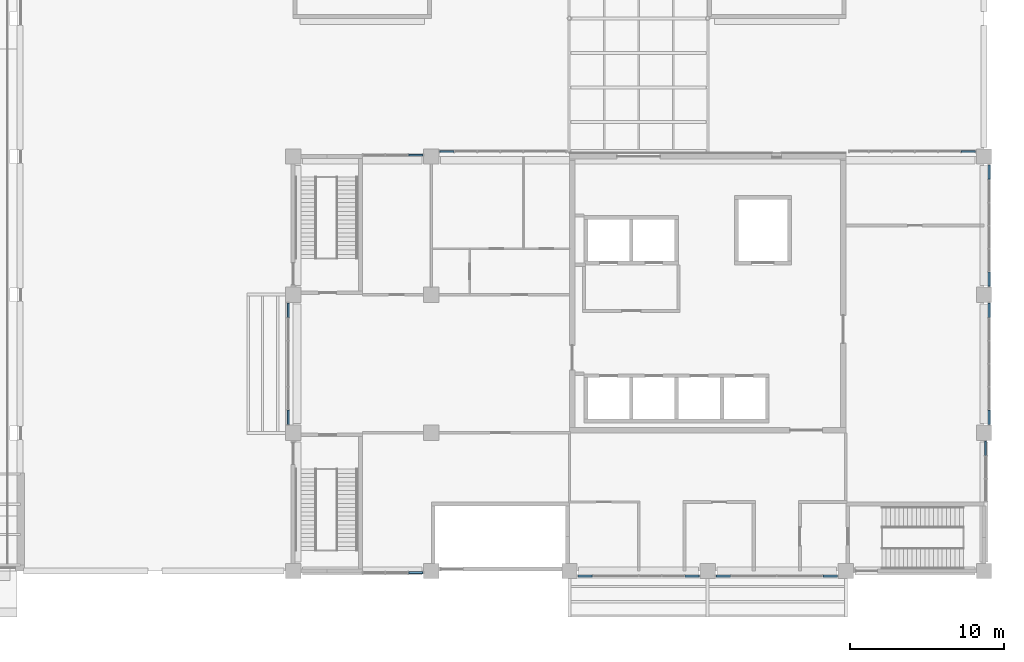
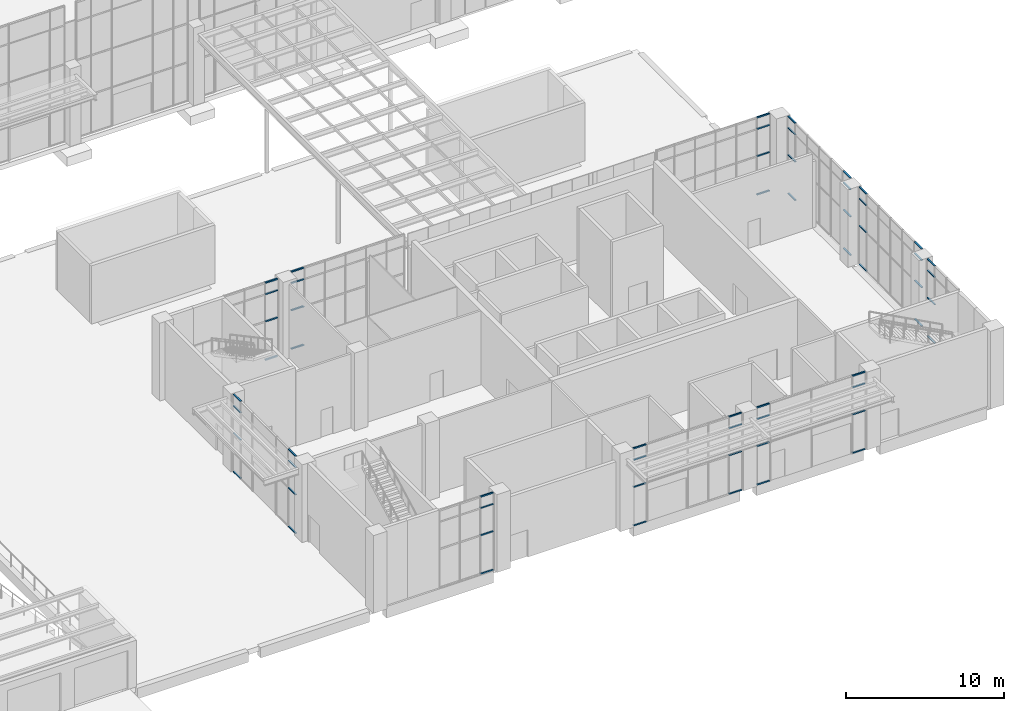
# One storey, part 36 of 86: 60 members, 10 elements without a shape of their own.
"""IFC4 building model written with IfcOpenShell, lengths in metres."""

from ifc_helpers import new_model, si_unit, direction, frame, origin, origin_2d, place, context, subcontext, project, spatial, rectangle, extrude, material, layer, layer_set, material_profile, profile_set, type_object, element, aggregate, save


model = new_model("IFC4")

# Units and contexts
model_context = context("Model", 3, precision=1e-05, world=origin(), true_north=direction((0.0, 1.0)))
body_context = subcontext(model_context, "Body", "Model", "MODEL_VIEW")
ifc_project = project(units=[si_unit("LENGTHUNIT", "METRE"), si_unit("AREAUNIT", "SQUARE_METRE"), si_unit("VOLUMEUNIT", "CUBIC_METRE"), si_unit("PLANEANGLEUNIT", "RADIAN"), si_unit("MASSUNIT", "GRAM", prefix="KILO")], contexts=[model_context])

# Site, building, storey
site_placement = place(None, origin())
site = spatial("IfcSite", under=ifc_project, at=site_placement, CompositionType="ELEMENT")
building_placement = place(site_placement, origin())
building = spatial("IfcBuilding", under=site, at=building_placement, Name="Guidao Yard Department Store", CompositionType="ELEMENT")
storey_placement = place(building_placement, origin())
storey = spatial("IfcBuildingStorey", under=building, at=storey_placement, Name="L00", CompositionType="ELEMENT", Elevation=0.0)

# Curtain wall, members
ifc_material_1 = material(Name="Aluminium and glass", Category="aluminium")
ifc_layer = layer(ifc_material_1, 0.159912109375)
ifc_layer_set = layer_set([ifc_layer], Name="Unitised curtain wall CW4 1500 module")
curtain_wall_type = type_object("IfcCurtainWallType", Name="Unitised curtain wall CW4 1500 module", PredefinedType="NOTDEFINED", material=ifc_layer_set)
curtain_wall_1_placement = place(storey_placement, origin())
curtain_wall_1 = element("IfcCurtainWall", 1, at=curtain_wall_1_placement, inside=storey, type_object=curtain_wall_type, Name="Unitised curtain wall", PredefinedType="NOTDEFINED")
ifc_material_2 = material(Name="Aluminium 6063-T5", Category="aluminium")
ifc_material_profile = material_profile(ifc_material_2, rectangle(XDim=0.1201171875, YDim=0.06005859375, at=origin_2d()), Name="Transom T1 60 x 120 aluminium pressure plate")
ifc_profile_set = profile_set([ifc_material_profile], Name="Aluminium 6063-T5")
member_type = type_object("IfcMemberType", Name="Transom T1 60 x 120 aluminium pressure plate", PredefinedType="USERDEFINED", material=ifc_profile_set)
member_1_placement = place(storey_placement, frame((134.43994140625, -0.10009765625, 0.030029296875), z_axis=(-1.0, 0.0, 0.0), x_axis=(0.0, -1.0, 0.0)))
member_1 = element("IfcMember", 2, at=member_1_placement, type_object=member_type, Name="CW-OW-L00-01 transom 3.1", ObjectType="TRANSOM", PredefinedType="USERDEFINED", context=body_context, shape_type="SweptSolid", body=[
    extrude(rectangle(XDim=0.1201171875, YDim=0.06005859375, at=origin_2d()), origin(), (0.0, 0.0, 1.0), 0.909912109375),
])
member_2_placement = place(storey_placement, frame((134.43994140625, -0.10009765625, 3.0), z_axis=(-1.0, 0.0, 0.0), x_axis=(0.0, -1.0, 0.0)))
member_2 = element("IfcMember", 3, at=member_2_placement, type_object=member_type, Name="CW-OW-L00-01 transom 3.2", ObjectType="TRANSOM", PredefinedType="USERDEFINED", context=body_context, shape_type="SweptSolid", body=[
    extrude(rectangle(XDim=0.1201171875, YDim=0.06005859375, at=origin_2d()), origin(), (0.0, 0.0, 1.0), 0.909912109375),
])
member_3_placement = place(storey_placement, frame((134.43994140625, -0.10009765625, 5.10009765625), z_axis=(-1.0, 0.0, 0.0), x_axis=(0.0, -1.0, 0.0)))
member_3 = element("IfcMember", 4, at=member_3_placement, type_object=member_type, Name="CW-OW-L00-01 transom 3.3", ObjectType="TRANSOM", PredefinedType="USERDEFINED", context=body_context, shape_type="SweptSolid", body=[
    extrude(rectangle(XDim=0.1201171875, YDim=0.06005859375, at=origin_2d()), origin(), (0.0, 0.0, 1.0), 0.909912109375),
])
member_4_placement = place(storey_placement, frame((134.43994140625, -0.10009765625, 5.969970703125), z_axis=(-1.0, 0.0, 0.0), x_axis=(0.0, -1.0, 0.0)))
member_4 = element("IfcMember", 5, at=member_4_placement, type_object=member_type, Name="CW-OW-L00-01 transom 3.4", ObjectType="TRANSOM", PredefinedType="USERDEFINED", context=body_context, shape_type="SweptSolid", body=[
    extrude(rectangle(XDim=0.1201171875, YDim=0.06005859375, at=origin_2d()), origin(), (0.0, 0.0, 1.0), 0.909912109375),
])
aggregate(curtain_wall_1, [member_1, member_2, member_3, member_4])

curtain_wall_2_placement = place(storey_placement, origin())
curtain_wall_2 = element("IfcCurtainWall", 6, at=curtain_wall_2_placement, inside=storey, type_object=curtain_wall_type, Name="Unitised curtain wall", PredefinedType="NOTDEFINED")
member_5_placement = place(storey_placement, frame((145.469970703125, -0.330078125, 0.030029296875), z_axis=(-1.0, 0.0, 0.0), x_axis=(0.0, -1.0, 0.0)))
member_5 = element("IfcMember", 7, at=member_5_placement, type_object=member_type, Name="CW-OW-L00-02 transom 1.1", ObjectType="TRANSOM", PredefinedType="USERDEFINED", context=body_context, shape_type="SweptSolid", body=[
    extrude(rectangle(XDim=0.1201171875, YDim=0.06005859375, at=origin_2d()), origin(), (0.0, 0.0, 1.0), 0.909912109375),
])
member_6_placement = place(storey_placement, frame((145.469970703125, -0.330078125, 3.0), z_axis=(-1.0, 0.0, 0.0), x_axis=(0.0, -1.0, 0.0)))
member_6 = element("IfcMember", 8, at=member_6_placement, type_object=member_type, Name="CW-OW-L00-02 transom 1.2", ObjectType="TRANSOM", PredefinedType="USERDEFINED", context=body_context, shape_type="SweptSolid", body=[
    extrude(rectangle(XDim=0.1201171875, YDim=0.06005859375, at=origin_2d()), origin(), (0.0, 0.0, 1.0), 0.909912109375),
])
member_7_placement = place(storey_placement, frame((145.469970703125, -0.330078125, 5.10009765625), z_axis=(-1.0, 0.0, 0.0), x_axis=(0.0, -1.0, 0.0)))
member_7 = element("IfcMember", 9, at=member_7_placement, type_object=member_type, Name="CW-OW-L00-02 transom 1.3", ObjectType="TRANSOM", PredefinedType="USERDEFINED", context=body_context, shape_type="SweptSolid", body=[
    extrude(rectangle(XDim=0.1201171875, YDim=0.06005859375, at=origin_2d()), origin(), (0.0, 0.0, 1.0), 0.909912109375),
])
member_8_placement = place(storey_placement, frame((145.469970703125, -0.330078125, 5.969970703125), z_axis=(-1.0, 0.0, 0.0), x_axis=(0.0, -1.0, 0.0)))
member_8 = element("IfcMember", 10, at=member_8_placement, type_object=member_type, Name="CW-OW-L00-02 transom 1.4", ObjectType="TRANSOM", PredefinedType="USERDEFINED", context=body_context, shape_type="SweptSolid", body=[
    extrude(rectangle(XDim=0.1201171875, YDim=0.06005859375, at=origin_2d()), origin(), (0.0, 0.0, 1.0), 0.909912109375),
])
member_9_placement = place(storey_placement, frame((152.43994140625, -0.330078125, 0.030029296875), z_axis=(-1.0, 0.0, 0.0), x_axis=(0.0, -1.0, 0.0)))
member_9 = element("IfcMember", 11, at=member_9_placement, type_object=member_type, Name="CW-OW-L00-02 transom 5.1", ObjectType="TRANSOM", PredefinedType="USERDEFINED", context=body_context, shape_type="SweptSolid", body=[
    extrude(rectangle(XDim=0.1201171875, YDim=0.06005859375, at=origin_2d()), origin(), (0.0, 0.0, 1.0), 0.909912109375),
])
member_10_placement = place(storey_placement, frame((152.43994140625, -0.330078125, 3.0), z_axis=(-1.0, 0.0, 0.0), x_axis=(0.0, -1.0, 0.0)))
member_10 = element("IfcMember", 12, at=member_10_placement, type_object=member_type, Name="CW-OW-L00-02 transom 5.2", ObjectType="TRANSOM", PredefinedType="USERDEFINED", context=body_context, shape_type="SweptSolid", body=[
    extrude(rectangle(XDim=0.1201171875, YDim=0.06005859375, at=origin_2d()), origin(), (0.0, 0.0, 1.0), 0.909912109375),
])
member_11_placement = place(storey_placement, frame((152.43994140625, -0.330078125, 5.10009765625), z_axis=(-1.0, 0.0, 0.0), x_axis=(0.0, -1.0, 0.0)))
member_11 = element("IfcMember", 13, at=member_11_placement, type_object=member_type, Name="CW-OW-L00-02 transom 5.3", ObjectType="TRANSOM", PredefinedType="USERDEFINED", context=body_context, shape_type="SweptSolid", body=[
    extrude(rectangle(XDim=0.1201171875, YDim=0.06005859375, at=origin_2d()), origin(), (0.0, 0.0, 1.0), 0.909912109375),
])
member_12_placement = place(storey_placement, frame((152.43994140625, -0.330078125, 5.969970703125), z_axis=(-1.0, 0.0, 0.0), x_axis=(0.0, -1.0, 0.0)))
member_12 = element("IfcMember", 14, at=member_12_placement, type_object=member_type, Name="CW-OW-L00-02 transom 5.4", ObjectType="TRANSOM", PredefinedType="USERDEFINED", context=body_context, shape_type="SweptSolid", body=[
    extrude(rectangle(XDim=0.1201171875, YDim=0.06005859375, at=origin_2d()), origin(), (0.0, 0.0, 1.0), 0.909912109375),
])
aggregate(curtain_wall_2, [member_5, member_6, member_7, member_8, member_9, member_10, member_11, member_12])

curtain_wall_3_placement = place(storey_placement, origin())
curtain_wall_3 = element("IfcCurtainWall", 15, at=curtain_wall_3_placement, inside=storey, type_object=curtain_wall_type, Name="Unitised curtain wall", PredefinedType="NOTDEFINED")
member_13_placement = place(storey_placement, frame((154.469970703125, -0.330078125, 0.030029296875), z_axis=(-1.0, 0.0, 0.0), x_axis=(0.0, -1.0, 0.0)))
member_13 = element("IfcMember", 16, at=member_13_placement, type_object=member_type, Name="CW-OW-L00-03 transom 1.1", ObjectType="TRANSOM", PredefinedType="USERDEFINED", context=body_context, shape_type="SweptSolid", body=[
    extrude(rectangle(XDim=0.1201171875, YDim=0.06005859375, at=origin_2d()), origin(), (0.0, 0.0, 1.0), 0.909912109375),
])
member_14_placement = place(storey_placement, frame((154.469970703125, -0.330078125, 3.0), z_axis=(-1.0, 0.0, 0.0), x_axis=(0.0, -1.0, 0.0)))
member_14 = element("IfcMember", 17, at=member_14_placement, type_object=member_type, Name="CW-OW-L00-03 transom 1.2", ObjectType="TRANSOM", PredefinedType="USERDEFINED", context=body_context, shape_type="SweptSolid", body=[
    extrude(rectangle(XDim=0.1201171875, YDim=0.06005859375, at=origin_2d()), origin(), (0.0, 0.0, 1.0), 0.909912109375),
])
member_15_placement = place(storey_placement, frame((154.469970703125, -0.330078125, 5.10009765625), z_axis=(-1.0, 0.0, 0.0), x_axis=(0.0, -1.0, 0.0)))
member_15 = element("IfcMember", 18, at=member_15_placement, type_object=member_type, Name="CW-OW-L00-03 transom 1.3", ObjectType="TRANSOM", PredefinedType="USERDEFINED", context=body_context, shape_type="SweptSolid", body=[
    extrude(rectangle(XDim=0.1201171875, YDim=0.06005859375, at=origin_2d()), origin(), (0.0, 0.0, 1.0), 0.909912109375),
])
member_16_placement = place(storey_placement, frame((154.469970703125, -0.330078125, 5.969970703125), z_axis=(-1.0, 0.0, 0.0), x_axis=(0.0, -1.0, 0.0)))
member_16 = element("IfcMember", 19, at=member_16_placement, type_object=member_type, Name="CW-OW-L00-03 transom 1.4", ObjectType="TRANSOM", PredefinedType="USERDEFINED", context=body_context, shape_type="SweptSolid", body=[
    extrude(rectangle(XDim=0.1201171875, YDim=0.06005859375, at=origin_2d()), origin(), (0.0, 0.0, 1.0), 0.909912109375),
])
member_17_placement = place(storey_placement, frame((161.43994140625, -0.330078125, 0.030029296875), z_axis=(-1.0, 0.0, 0.0), x_axis=(0.0, -1.0, 0.0)))
member_17 = element("IfcMember", 20, at=member_17_placement, type_object=member_type, Name="CW-OW-L00-03 transom 4.1", ObjectType="TRANSOM", PredefinedType="USERDEFINED", context=body_context, shape_type="SweptSolid", body=[
    extrude(rectangle(XDim=0.1201171875, YDim=0.06005859375, at=origin_2d()), origin(), (0.0, 0.0, 1.0), 0.909912109375),
])
member_18_placement = place(storey_placement, frame((161.43994140625, -0.330078125, 3.0), z_axis=(-1.0, 0.0, 0.0), x_axis=(0.0, -1.0, 0.0)))
member_18 = element("IfcMember", 21, at=member_18_placement, type_object=member_type, Name="CW-OW-L00-03 transom 4.2", ObjectType="TRANSOM", PredefinedType="USERDEFINED", context=body_context, shape_type="SweptSolid", body=[
    extrude(rectangle(XDim=0.1201171875, YDim=0.06005859375, at=origin_2d()), origin(), (0.0, 0.0, 1.0), 0.909912109375),
])
member_19_placement = place(storey_placement, frame((161.43994140625, -0.330078125, 5.10009765625), z_axis=(-1.0, 0.0, 0.0), x_axis=(0.0, -1.0, 0.0)))
member_19 = element("IfcMember", 22, at=member_19_placement, type_object=member_type, Name="CW-OW-L00-03 transom 4.3", ObjectType="TRANSOM", PredefinedType="USERDEFINED", context=body_context, shape_type="SweptSolid", body=[
    extrude(rectangle(XDim=0.1201171875, YDim=0.06005859375, at=origin_2d()), origin(), (0.0, 0.0, 1.0), 0.909912109375),
])
member_20_placement = place(storey_placement, frame((161.43994140625, -0.330078125, 5.969970703125), z_axis=(-1.0, 0.0, 0.0), x_axis=(0.0, -1.0, 0.0)))
member_20 = element("IfcMember", 23, at=member_20_placement, type_object=member_type, Name="CW-OW-L00-03 transom 4.4", ObjectType="TRANSOM", PredefinedType="USERDEFINED", context=body_context, shape_type="SweptSolid", body=[
    extrude(rectangle(XDim=0.1201171875, YDim=0.06005859375, at=origin_2d()), origin(), (0.0, 0.0, 1.0), 0.909912109375),
])
aggregate(curtain_wall_3, [member_13, member_14, member_15, member_16, member_17, member_18, member_19, member_20])

curtain_wall_4_placement = place(storey_placement, origin())
curtain_wall_4 = element("IfcCurtainWall", 24, at=curtain_wall_4_placement, inside=storey, type_object=curtain_wall_type, Name="Unitised curtain wall", PredefinedType="NOTDEFINED")
member_21_placement = place(storey_placement, frame((125.669921875, 9.56005859375, 0.030029296875), z_axis=(0.0, 1.0, 0.0), x_axis=(-1.0, 0.0, 0.0)))
member_21 = element("IfcMember", 25, at=member_21_placement, type_object=member_type, Name="CW-OW-L00-04 transom 1.1", ObjectType="TRANSOM", PredefinedType="USERDEFINED", context=body_context, shape_type="SweptSolid", body=[
    extrude(rectangle(XDim=0.1201171875, YDim=0.06005859375, at=origin_2d()), origin(), (0.0, 0.0, 1.0), 0.909912109375),
])
member_22_placement = place(storey_placement, frame((125.669921875, 9.56005859375, 3.0), z_axis=(0.0, 1.0, 0.0), x_axis=(-1.0, 0.0, 0.0)))
member_22 = element("IfcMember", 26, at=member_22_placement, type_object=member_type, Name="CW-OW-L00-04 transom 1.2", ObjectType="TRANSOM", PredefinedType="USERDEFINED", context=body_context, shape_type="SweptSolid", body=[
    extrude(rectangle(XDim=0.1201171875, YDim=0.06005859375, at=origin_2d()), origin(), (0.0, 0.0, 1.0), 0.909912109375),
])
member_23_placement = place(storey_placement, frame((125.669921875, 9.56005859375, 5.10009765625), z_axis=(0.0, 1.0, 0.0), x_axis=(-1.0, 0.0, 0.0)))
member_23 = element("IfcMember", 27, at=member_23_placement, type_object=member_type, Name="CW-OW-L00-04 transom 1.3", ObjectType="TRANSOM", PredefinedType="USERDEFINED", context=body_context, shape_type="SweptSolid", body=[
    extrude(rectangle(XDim=0.1201171875, YDim=0.06005859375, at=origin_2d()), origin(), (0.0, 0.0, 1.0), 0.909912109375),
])
member_24_placement = place(storey_placement, frame((125.669921875, 9.56005859375, 5.969970703125), z_axis=(0.0, 1.0, 0.0), x_axis=(-1.0, 0.0, 0.0)))
member_24 = element("IfcMember", 28, at=member_24_placement, type_object=member_type, Name="CW-OW-L00-04 transom 1.4", ObjectType="TRANSOM", PredefinedType="USERDEFINED", context=body_context, shape_type="SweptSolid", body=[
    extrude(rectangle(XDim=0.1201171875, YDim=0.06005859375, at=origin_2d()), origin(), (0.0, 0.0, 1.0), 0.909912109375),
])
member_25_placement = place(storey_placement, frame((125.669921875, 16.530029296875, 0.030029296875), z_axis=(0.0, 1.0, 0.0), x_axis=(-1.0, 0.0, 0.0)))
member_25 = element("IfcMember", 29, at=member_25_placement, type_object=member_type, Name="CW-OW-L00-04 transom 5.1", ObjectType="TRANSOM", PredefinedType="USERDEFINED", context=body_context, shape_type="SweptSolid", body=[
    extrude(rectangle(XDim=0.1201171875, YDim=0.06005859375, at=origin_2d()), origin(), (0.0, 0.0, 1.0), 0.909912109375),
])
member_26_placement = place(storey_placement, frame((125.669921875, 16.530029296875, 3.0), z_axis=(0.0, 1.0, 0.0), x_axis=(-1.0, 0.0, 0.0)))
member_26 = element("IfcMember", 30, at=member_26_placement, type_object=member_type, Name="CW-OW-L00-04 transom 5.2", ObjectType="TRANSOM", PredefinedType="USERDEFINED", context=body_context, shape_type="SweptSolid", body=[
    extrude(rectangle(XDim=0.1201171875, YDim=0.06005859375, at=origin_2d()), origin(), (0.0, 0.0, 1.0), 0.909912109375),
])
member_27_placement = place(storey_placement, frame((125.669921875, 16.530029296875, 5.10009765625), z_axis=(0.0, 1.0, 0.0), x_axis=(-1.0, 0.0, 0.0)))
member_27 = element("IfcMember", 31, at=member_27_placement, type_object=member_type, Name="CW-OW-L00-04 transom 5.3", ObjectType="TRANSOM", PredefinedType="USERDEFINED", context=body_context, shape_type="SweptSolid", body=[
    extrude(rectangle(XDim=0.1201171875, YDim=0.06005859375, at=origin_2d()), origin(), (0.0, 0.0, 1.0), 0.909912109375),
])
member_28_placement = place(storey_placement, frame((125.669921875, 16.530029296875, 5.969970703125), z_axis=(0.0, 1.0, 0.0), x_axis=(-1.0, 0.0, 0.0)))
member_28 = element("IfcMember", 32, at=member_28_placement, type_object=member_type, Name="CW-OW-L00-04 transom 5.4", ObjectType="TRANSOM", PredefinedType="USERDEFINED", context=body_context, shape_type="SweptSolid", body=[
    extrude(rectangle(XDim=0.1201171875, YDim=0.06005859375, at=origin_2d()), origin(), (0.0, 0.0, 1.0), 0.909912109375),
])
aggregate(curtain_wall_4, [member_21, member_22, member_23, member_24, member_25, member_26, member_27, member_28])

curtain_wall_5_placement = place(storey_placement, origin())
curtain_wall_5 = element("IfcCurtainWall", 33, at=curtain_wall_5_placement, inside=storey, type_object=curtain_wall_type, Name="Unitised curtain wall", PredefinedType="NOTDEFINED")
member_29_placement = place(storey_placement, frame((133.530029296875, 27.10009765625, 0.030029296875), z_axis=(1.0, 0.0, 0.0), x_axis=(0.0, 1.0, 0.0)))
member_29 = element("IfcMember", 34, at=member_29_placement, type_object=member_type, Name="CW-OW-L00-05 transom 3.1", ObjectType="TRANSOM", PredefinedType="USERDEFINED", context=body_context, shape_type="SweptSolid", body=[
    extrude(rectangle(XDim=0.1201171875, YDim=0.06005859375, at=origin_2d()), origin(), (0.0, 0.0, 1.0), 0.909912109375),
])
member_30_placement = place(storey_placement, frame((133.530029296875, 27.10009765625, 3.0), z_axis=(1.0, 0.0, 0.0), x_axis=(0.0, 1.0, 0.0)))
member_30 = element("IfcMember", 35, at=member_30_placement, type_object=member_type, Name="CW-OW-L00-05 transom 3.2", ObjectType="TRANSOM", PredefinedType="USERDEFINED", context=body_context, shape_type="SweptSolid", body=[
    extrude(rectangle(XDim=0.1201171875, YDim=0.06005859375, at=origin_2d()), origin(), (0.0, 0.0, 1.0), 0.909912109375),
])
member_31_placement = place(storey_placement, frame((133.530029296875, 27.10009765625, 5.10009765625), z_axis=(1.0, 0.0, 0.0), x_axis=(0.0, 1.0, 0.0)))
member_31 = element("IfcMember", 36, at=member_31_placement, type_object=member_type, Name="CW-OW-L00-05 transom 3.3", ObjectType="TRANSOM", PredefinedType="USERDEFINED", context=body_context, shape_type="SweptSolid", body=[
    extrude(rectangle(XDim=0.1201171875, YDim=0.06005859375, at=origin_2d()), origin(), (0.0, 0.0, 1.0), 0.909912109375),
])
member_32_placement = place(storey_placement, frame((133.530029296875, 27.10009765625, 5.969970703125), z_axis=(1.0, 0.0, 0.0), x_axis=(0.0, 1.0, 0.0)))
member_32 = element("IfcMember", 37, at=member_32_placement, type_object=member_type, Name="CW-OW-L00-05 transom 3.4", ObjectType="TRANSOM", PredefinedType="USERDEFINED", context=body_context, shape_type="SweptSolid", body=[
    extrude(rectangle(XDim=0.1201171875, YDim=0.06005859375, at=origin_2d()), origin(), (0.0, 0.0, 1.0), 0.909912109375),
])
aggregate(curtain_wall_5, [member_29, member_30, member_31, member_32])

curtain_wall_6_placement = place(storey_placement, origin())
curtain_wall_6 = element("IfcCurtainWall", 38, at=curtain_wall_6_placement, inside=storey, type_object=curtain_wall_type, Name="Unitised curtain wall", PredefinedType="NOTDEFINED")
member_33_placement = place(storey_placement, frame((135.56005859375, 27.330078125, 0.030029296875), z_axis=(1.0, 0.0, 0.0), x_axis=(0.0, 1.0, 0.0)))
member_33 = element("IfcMember", 39, at=member_33_placement, type_object=member_type, Name="CW-OW-L00-06 transom 1.1", ObjectType="TRANSOM", PredefinedType="USERDEFINED", context=body_context, shape_type="SweptSolid", body=[
    extrude(rectangle(XDim=0.1201171875, YDim=0.06005859375, at=origin_2d()), origin(), (0.0, 0.0, 1.0), 0.909912109375),
])
member_34_placement = place(storey_placement, frame((135.56005859375, 27.330078125, 3.0), z_axis=(1.0, 0.0, 0.0), x_axis=(0.0, 1.0, 0.0)))
member_34 = element("IfcMember", 40, at=member_34_placement, type_object=member_type, Name="CW-OW-L00-06 transom 1.2", ObjectType="TRANSOM", PredefinedType="USERDEFINED", context=body_context, shape_type="SweptSolid", body=[
    extrude(rectangle(XDim=0.1201171875, YDim=0.06005859375, at=origin_2d()), origin(), (0.0, 0.0, 1.0), 0.909912109375),
])
member_35_placement = place(storey_placement, frame((135.56005859375, 27.330078125, 5.10009765625), z_axis=(1.0, 0.0, 0.0), x_axis=(0.0, 1.0, 0.0)))
member_35 = element("IfcMember", 41, at=member_35_placement, type_object=member_type, Name="CW-OW-L00-06 transom 1.3", ObjectType="TRANSOM", PredefinedType="USERDEFINED", context=body_context, shape_type="SweptSolid", body=[
    extrude(rectangle(XDim=0.1201171875, YDim=0.06005859375, at=origin_2d()), origin(), (0.0, 0.0, 1.0), 0.909912109375),
])
member_36_placement = place(storey_placement, frame((135.56005859375, 27.330078125, 5.969970703125), z_axis=(1.0, 0.0, 0.0), x_axis=(0.0, 1.0, 0.0)))
member_36 = element("IfcMember", 42, at=member_36_placement, type_object=member_type, Name="CW-OW-L00-06 transom 1.4", ObjectType="TRANSOM", PredefinedType="USERDEFINED", context=body_context, shape_type="SweptSolid", body=[
    extrude(rectangle(XDim=0.1201171875, YDim=0.06005859375, at=origin_2d()), origin(), (0.0, 0.0, 1.0), 0.909912109375),
])
aggregate(curtain_wall_6, [member_33, member_34, member_35, member_36])

curtain_wall_7_placement = place(storey_placement, origin())
curtain_wall_7 = element("IfcCurtainWall", 43, at=curtain_wall_7_placement, inside=storey, type_object=curtain_wall_type, Name="Unitised curtain wall", PredefinedType="NOTDEFINED")
member_37_placement = place(storey_placement, frame((169.530029296875, 27.330078125, 0.030029296875), z_axis=(1.0, 0.0, 0.0), x_axis=(0.0, 1.0, 0.0)))
member_37 = element("IfcMember", 44, at=member_37_placement, type_object=member_type, Name="CW-OW-L00-07 transom 6.1", ObjectType="TRANSOM", PredefinedType="USERDEFINED", context=body_context, shape_type="SweptSolid", body=[
    extrude(rectangle(XDim=0.1201171875, YDim=0.06005859375, at=origin_2d()), origin(), (0.0, 0.0, 1.0), 0.909912109375),
])
member_38_placement = place(storey_placement, frame((169.530029296875, 27.330078125, 3.0), z_axis=(1.0, 0.0, 0.0), x_axis=(0.0, 1.0, 0.0)))
member_38 = element("IfcMember", 45, at=member_38_placement, type_object=member_type, Name="CW-OW-L00-07 transom 6.2", ObjectType="TRANSOM", PredefinedType="USERDEFINED", context=body_context, shape_type="SweptSolid", body=[
    extrude(rectangle(XDim=0.1201171875, YDim=0.06005859375, at=origin_2d()), origin(), (0.0, 0.0, 1.0), 0.909912109375),
])
member_39_placement = place(storey_placement, frame((169.530029296875, 27.330078125, 5.10009765625), z_axis=(1.0, 0.0, 0.0), x_axis=(0.0, 1.0, 0.0)))
member_39 = element("IfcMember", 46, at=member_39_placement, type_object=member_type, Name="CW-OW-L00-07 transom 6.3", ObjectType="TRANSOM", PredefinedType="USERDEFINED", context=body_context, shape_type="SweptSolid", body=[
    extrude(rectangle(XDim=0.1201171875, YDim=0.06005859375, at=origin_2d()), origin(), (0.0, 0.0, 1.0), 0.909912109375),
])
member_40_placement = place(storey_placement, frame((169.530029296875, 27.330078125, 5.969970703125), z_axis=(1.0, 0.0, 0.0), x_axis=(0.0, 1.0, 0.0)))
member_40 = element("IfcMember", 47, at=member_40_placement, type_object=member_type, Name="CW-OW-L00-07 transom 6.4", ObjectType="TRANSOM", PredefinedType="USERDEFINED", context=body_context, shape_type="SweptSolid", body=[
    extrude(rectangle(XDim=0.1201171875, YDim=0.06005859375, at=origin_2d()), origin(), (0.0, 0.0, 1.0), 0.909912109375),
])
aggregate(curtain_wall_7, [member_37, member_38, member_39, member_40])

curtain_wall_8_placement = place(storey_placement, origin())
curtain_wall_8 = element("IfcCurtainWall", 48, at=curtain_wall_8_placement, inside=storey, type_object=curtain_wall_type, Name="Unitised curtain wall", PredefinedType="NOTDEFINED")
member_41_placement = place(storey_placement, frame((171.10009765625, 8.43994140625, 0.030029296875), z_axis=(0.0, -1.0, 0.0), x_axis=(1.0, 0.0, 0.0)))
member_41 = element("IfcMember", 49, at=member_41_placement, type_object=member_type, Name="CW-OW-L00-08 transom 3.1", ObjectType="TRANSOM", PredefinedType="USERDEFINED", context=body_context, shape_type="SweptSolid", body=[
    extrude(rectangle(XDim=0.1201171875, YDim=0.06005859375, at=origin_2d()), origin(), (0.0, 0.0, 1.0), 0.909912109375),
])
member_42_placement = place(storey_placement, frame((171.10009765625, 8.43994140625, 3.0), z_axis=(0.0, -1.0, 0.0), x_axis=(1.0, 0.0, 0.0)))
member_42 = element("IfcMember", 50, at=member_42_placement, type_object=member_type, Name="CW-OW-L00-08 transom 3.2", ObjectType="TRANSOM", PredefinedType="USERDEFINED", context=body_context, shape_type="SweptSolid", body=[
    extrude(rectangle(XDim=0.1201171875, YDim=0.06005859375, at=origin_2d()), origin(), (0.0, 0.0, 1.0), 0.909912109375),
])
member_43_placement = place(storey_placement, frame((171.10009765625, 8.43994140625, 5.10009765625), z_axis=(0.0, -1.0, 0.0), x_axis=(1.0, 0.0, 0.0)))
member_43 = element("IfcMember", 51, at=member_43_placement, type_object=member_type, Name="CW-OW-L00-08 transom 3.3", ObjectType="TRANSOM", PredefinedType="USERDEFINED", context=body_context, shape_type="SweptSolid", body=[
    extrude(rectangle(XDim=0.1201171875, YDim=0.06005859375, at=origin_2d()), origin(), (0.0, 0.0, 1.0), 0.909912109375),
])
member_44_placement = place(storey_placement, frame((171.10009765625, 8.43994140625, 5.969970703125), z_axis=(0.0, -1.0, 0.0), x_axis=(1.0, 0.0, 0.0)))
member_44 = element("IfcMember", 52, at=member_44_placement, type_object=member_type, Name="CW-OW-L00-08 transom 3.4", ObjectType="TRANSOM", PredefinedType="USERDEFINED", context=body_context, shape_type="SweptSolid", body=[
    extrude(rectangle(XDim=0.1201171875, YDim=0.06005859375, at=origin_2d()), origin(), (0.0, 0.0, 1.0), 0.909912109375),
])
aggregate(curtain_wall_8, [member_41, member_42, member_43, member_44])

curtain_wall_9_placement = place(storey_placement, origin())
curtain_wall_9 = element("IfcCurtainWall", 53, at=curtain_wall_9_placement, inside=storey, type_object=curtain_wall_type, Name="Unitised curtain wall", PredefinedType="NOTDEFINED")
member_45_placement = place(storey_placement, frame((171.330078125, 10.469970703125, 0.030029296875), z_axis=(0.0, -1.0, 0.0), x_axis=(1.0, 0.0, 0.0)))
member_45 = element("IfcMember", 54, at=member_45_placement, type_object=member_type, Name="CW-OW-L00-09 transom 1.1", ObjectType="TRANSOM", PredefinedType="USERDEFINED", context=body_context, shape_type="SweptSolid", body=[
    extrude(rectangle(XDim=0.1201171875, YDim=0.06005859375, at=origin_2d()), origin(), (0.0, 0.0, 1.0), 0.909912109375),
])
member_46_placement = place(storey_placement, frame((171.330078125, 10.469970703125, 3.0), z_axis=(0.0, -1.0, 0.0), x_axis=(1.0, 0.0, 0.0)))
member_46 = element("IfcMember", 55, at=member_46_placement, type_object=member_type, Name="CW-OW-L00-09 transom 1.2", ObjectType="TRANSOM", PredefinedType="USERDEFINED", context=body_context, shape_type="SweptSolid", body=[
    extrude(rectangle(XDim=0.1201171875, YDim=0.06005859375, at=origin_2d()), origin(), (0.0, 0.0, 1.0), 0.909912109375),
])
member_47_placement = place(storey_placement, frame((171.330078125, 10.469970703125, 5.10009765625), z_axis=(0.0, -1.0, 0.0), x_axis=(1.0, 0.0, 0.0)))
member_47 = element("IfcMember", 56, at=member_47_placement, type_object=member_type, Name="CW-OW-L00-09 transom 1.3", ObjectType="TRANSOM", PredefinedType="USERDEFINED", context=body_context, shape_type="SweptSolid", body=[
    extrude(rectangle(XDim=0.1201171875, YDim=0.06005859375, at=origin_2d()), origin(), (0.0, 0.0, 1.0), 0.909912109375),
])
member_48_placement = place(storey_placement, frame((171.330078125, 10.469970703125, 5.969970703125), z_axis=(0.0, -1.0, 0.0), x_axis=(1.0, 0.0, 0.0)))
member_48 = element("IfcMember", 57, at=member_48_placement, type_object=member_type, Name="CW-OW-L00-09 transom 1.4", ObjectType="TRANSOM", PredefinedType="USERDEFINED", context=body_context, shape_type="SweptSolid", body=[
    extrude(rectangle(XDim=0.1201171875, YDim=0.06005859375, at=origin_2d()), origin(), (0.0, 0.0, 1.0), 0.909912109375),
])
member_49_placement = place(storey_placement, frame((171.330078125, 17.43994140625, 0.030029296875), z_axis=(0.0, -1.0, 0.0), x_axis=(1.0, 0.0, 0.0)))
member_49 = element("IfcMember", 58, at=member_49_placement, type_object=member_type, Name="CW-OW-L00-09 transom 6.1", ObjectType="TRANSOM", PredefinedType="USERDEFINED", context=body_context, shape_type="SweptSolid", body=[
    extrude(rectangle(XDim=0.1201171875, YDim=0.06005859375, at=origin_2d()), origin(), (0.0, 0.0, 1.0), 0.909912109375),
])
member_50_placement = place(storey_placement, frame((171.330078125, 17.43994140625, 3.0), z_axis=(0.0, -1.0, 0.0), x_axis=(1.0, 0.0, 0.0)))
member_50 = element("IfcMember", 59, at=member_50_placement, type_object=member_type, Name="CW-OW-L00-09 transom 6.2", ObjectType="TRANSOM", PredefinedType="USERDEFINED", context=body_context, shape_type="SweptSolid", body=[
    extrude(rectangle(XDim=0.1201171875, YDim=0.06005859375, at=origin_2d()), origin(), (0.0, 0.0, 1.0), 0.909912109375),
])
member_51_placement = place(storey_placement, frame((171.330078125, 17.43994140625, 5.10009765625), z_axis=(0.0, -1.0, 0.0), x_axis=(1.0, 0.0, 0.0)))
member_51 = element("IfcMember", 60, at=member_51_placement, type_object=member_type, Name="CW-OW-L00-09 transom 6.3", ObjectType="TRANSOM", PredefinedType="USERDEFINED", context=body_context, shape_type="SweptSolid", body=[
    extrude(rectangle(XDim=0.1201171875, YDim=0.06005859375, at=origin_2d()), origin(), (0.0, 0.0, 1.0), 0.909912109375),
])
member_52_placement = place(storey_placement, frame((171.330078125, 17.43994140625, 5.969970703125), z_axis=(0.0, -1.0, 0.0), x_axis=(1.0, 0.0, 0.0)))
member_52 = element("IfcMember", 61, at=member_52_placement, type_object=member_type, Name="CW-OW-L00-09 transom 6.4", ObjectType="TRANSOM", PredefinedType="USERDEFINED", context=body_context, shape_type="SweptSolid", body=[
    extrude(rectangle(XDim=0.1201171875, YDim=0.06005859375, at=origin_2d()), origin(), (0.0, 0.0, 1.0), 0.909912109375),
])
aggregate(curtain_wall_9, [member_45, member_46, member_47, member_48, member_49, member_50, member_51, member_52])

curtain_wall_10_placement = place(storey_placement, origin())
curtain_wall_10 = element("IfcCurtainWall", 62, at=curtain_wall_10_placement, inside=storey, type_object=curtain_wall_type, Name="Unitised curtain wall", PredefinedType="NOTDEFINED")
member_53_placement = place(storey_placement, frame((171.330078125, 19.469970703125, 0.030029296875), z_axis=(0.0, -1.0, 0.0), x_axis=(1.0, 0.0, 0.0)))
member_53 = element("IfcMember", 63, at=member_53_placement, type_object=member_type, Name="CW-OW-L00-10 transom 1.1", ObjectType="TRANSOM", PredefinedType="USERDEFINED", context=body_context, shape_type="SweptSolid", body=[
    extrude(rectangle(XDim=0.1201171875, YDim=0.06005859375, at=origin_2d()), origin(), (0.0, 0.0, 1.0), 0.909912109375),
])
member_54_placement = place(storey_placement, frame((171.330078125, 19.469970703125, 3.0), z_axis=(0.0, -1.0, 0.0), x_axis=(1.0, 0.0, 0.0)))
member_54 = element("IfcMember", 64, at=member_54_placement, type_object=member_type, Name="CW-OW-L00-10 transom 1.2", ObjectType="TRANSOM", PredefinedType="USERDEFINED", context=body_context, shape_type="SweptSolid", body=[
    extrude(rectangle(XDim=0.1201171875, YDim=0.06005859375, at=origin_2d()), origin(), (0.0, 0.0, 1.0), 0.909912109375),
])
member_55_placement = place(storey_placement, frame((171.330078125, 19.469970703125, 5.10009765625), z_axis=(0.0, -1.0, 0.0), x_axis=(1.0, 0.0, 0.0)))
member_55 = element("IfcMember", 65, at=member_55_placement, type_object=member_type, Name="CW-OW-L00-10 transom 1.3", ObjectType="TRANSOM", PredefinedType="USERDEFINED", context=body_context, shape_type="SweptSolid", body=[
    extrude(rectangle(XDim=0.1201171875, YDim=0.06005859375, at=origin_2d()), origin(), (0.0, 0.0, 1.0), 0.909912109375),
])
member_56_placement = place(storey_placement, frame((171.330078125, 19.469970703125, 5.969970703125), z_axis=(0.0, -1.0, 0.0), x_axis=(1.0, 0.0, 0.0)))
member_56 = element("IfcMember", 66, at=member_56_placement, type_object=member_type, Name="CW-OW-L00-10 transom 1.4", ObjectType="TRANSOM", PredefinedType="USERDEFINED", context=body_context, shape_type="SweptSolid", body=[
    extrude(rectangle(XDim=0.1201171875, YDim=0.06005859375, at=origin_2d()), origin(), (0.0, 0.0, 1.0), 0.909912109375),
])
member_57_placement = place(storey_placement, frame((171.330078125, 26.43994140625, 0.030029296875), z_axis=(0.0, -1.0, 0.0), x_axis=(1.0, 0.0, 0.0)))
member_57 = element("IfcMember", 67, at=member_57_placement, type_object=member_type, Name="CW-OW-L00-10 transom 6.1", ObjectType="TRANSOM", PredefinedType="USERDEFINED", context=body_context, shape_type="SweptSolid", body=[
    extrude(rectangle(XDim=0.1201171875, YDim=0.06005859375, at=origin_2d()), origin(), (0.0, 0.0, 1.0), 0.909912109375),
])
member_58_placement = place(storey_placement, frame((171.330078125, 26.43994140625, 3.0), z_axis=(0.0, -1.0, 0.0), x_axis=(1.0, 0.0, 0.0)))
member_58 = element("IfcMember", 68, at=member_58_placement, type_object=member_type, Name="CW-OW-L00-10 transom 6.2", ObjectType="TRANSOM", PredefinedType="USERDEFINED", context=body_context, shape_type="SweptSolid", body=[
    extrude(rectangle(XDim=0.1201171875, YDim=0.06005859375, at=origin_2d()), origin(), (0.0, 0.0, 1.0), 0.909912109375),
])
member_59_placement = place(storey_placement, frame((171.330078125, 26.43994140625, 5.10009765625), z_axis=(0.0, -1.0, 0.0), x_axis=(1.0, 0.0, 0.0)))
member_59 = element("IfcMember", 69, at=member_59_placement, type_object=member_type, Name="CW-OW-L00-10 transom 6.3", ObjectType="TRANSOM", PredefinedType="USERDEFINED", context=body_context, shape_type="SweptSolid", body=[
    extrude(rectangle(XDim=0.1201171875, YDim=0.06005859375, at=origin_2d()), origin(), (0.0, 0.0, 1.0), 0.909912109375),
])
member_60_placement = place(storey_placement, frame((171.330078125, 26.43994140625, 5.969970703125), z_axis=(0.0, -1.0, 0.0), x_axis=(1.0, 0.0, 0.0)))
member_60 = element("IfcMember", 70, at=member_60_placement, type_object=member_type, Name="CW-OW-L00-10 transom 6.4", ObjectType="TRANSOM", PredefinedType="USERDEFINED", context=body_context, shape_type="SweptSolid", body=[
    extrude(rectangle(XDim=0.1201171875, YDim=0.06005859375, at=origin_2d()), origin(), (0.0, 0.0, 1.0), 0.909912109375),
])
aggregate(curtain_wall_10, [member_53, member_54, member_55, member_56, member_57, member_58, member_59, member_60])

save(model, "model.ifc")
